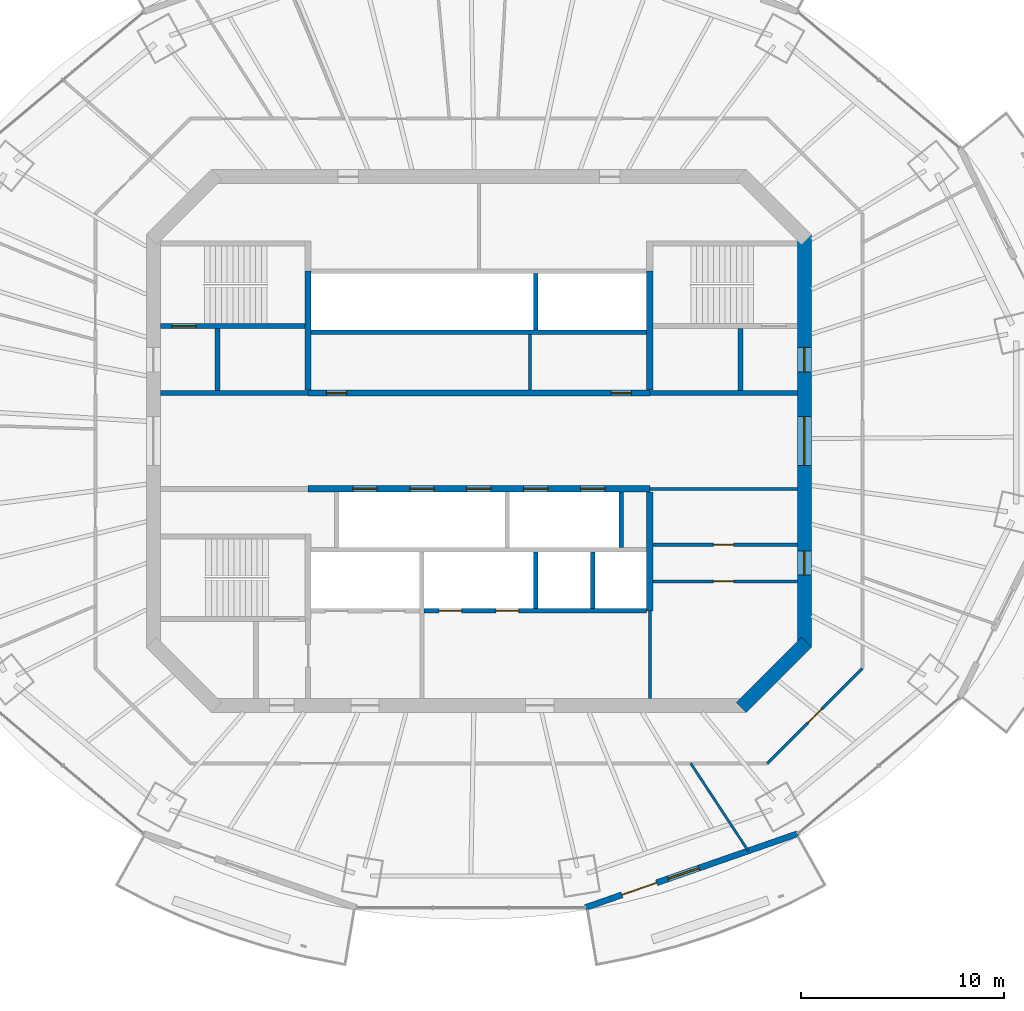
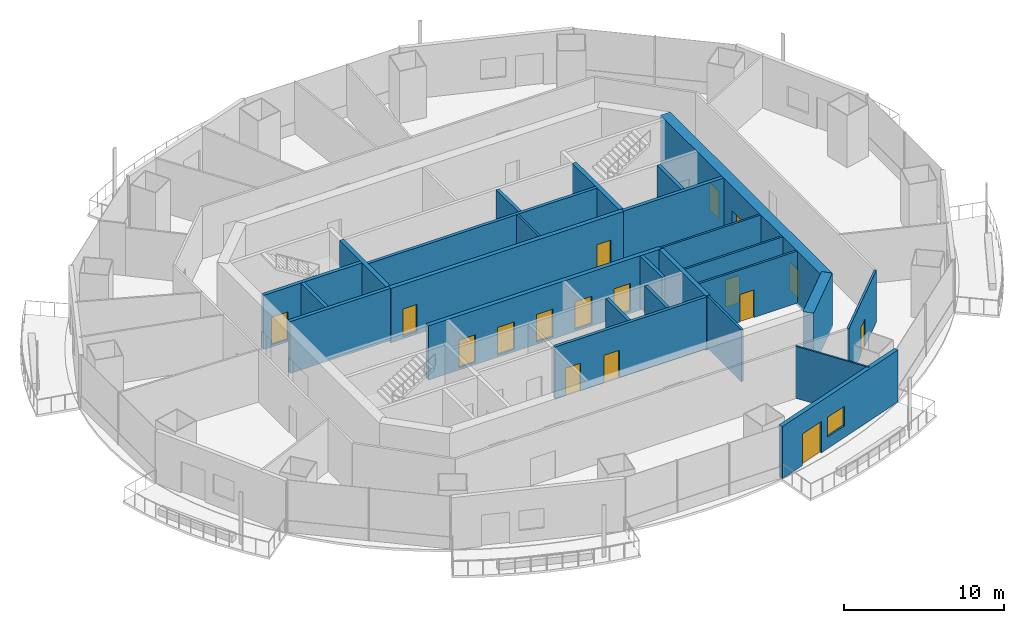
# One storey, part 9 of 16: 26 walls, 17 doors, 1 window, 18 openings.
"""IFC4 building model written with IfcOpenShell, lengths in metres."""

from ifc_helpers import new_model, si_unit, direction, frame, frame_2d, origin, place, context, subcontext, project, spatial, rectangle, extrude, material, layer, layer_set, type_object, element, fill, save


model = new_model("IFC4")

# Units and contexts
model_context = context("Model", 3, precision=1e-05, world=origin(), true_north=direction((0.0, 1.0)))
body_context = subcontext(model_context, "Body", "Model", "MODEL_VIEW")
ifc_project = project(units=[si_unit("LENGTHUNIT", "METRE"), si_unit("AREAUNIT", "SQUARE_METRE"), si_unit("VOLUMEUNIT", "CUBIC_METRE"), si_unit("PLANEANGLEUNIT", "RADIAN"), si_unit("MASSUNIT", "GRAM", prefix="KILO")], contexts=[model_context])

# Site, building, storey
site_placement = place(None, origin())
site = spatial("IfcSite", under=ifc_project, at=site_placement, CompositionType="ELEMENT")
building_placement = place(site_placement, origin())
building = spatial("IfcBuilding", under=site, at=building_placement, Name="Marenthal Gate Tower", CompositionType="ELEMENT")
storey_placement = place(building_placement, frame((0.0, 0.0, 284.5)))
storey = spatial("IfcBuildingStorey", under=building, at=storey_placement, Name="L63", CompositionType="ELEMENT", Elevation=284.5)

# Wall
ifc_material_1 = material(Name="Concrete 60 MPa", Category="concrete")
ifc_layer_1 = layer(ifc_material_1, 0.699951171875)
ifc_layer_set_1 = layer_set([ifc_layer_1], Name="Core shear wall 700")
wall_type_1 = type_object("IfcWallType", Name="Core shear wall 700", PredefinedType="SHEAR", material=ifc_layer_set_1)
wall_1_placement = place(storey_placement, frame((12.8974609375, -13.1025390625, -0.179931640625), z_axis=(0.0, 0.0, 1.0), x_axis=(0.707106781187, 0.707106781187, 0.0)))
element("IfcWall", 1, at=wall_1_placement, inside=storey, type_object=wall_type_1, Name="Core wall 01", PredefinedType="SHEAR", context=body_context, shape_type="SweptSolid", body=[
    extrude(rectangle(XDim=4.53271484375, YDim=0.699951171875, at=frame_2d((2.266357421875, 0.0))), origin(), (0.0, 0.0, 1.0), 4.14990234375),
])

# Wall, openings, doors
wall_2_placement = place(storey_placement, frame((16.0, -10.14501953125, -0.179931640625), z_axis=(0.0, 0.0, 1.0), x_axis=(0.0, 1.0, 0.0)))
wall_2 = element("IfcWall", 2, at=wall_2_placement, inside=storey, type_object=wall_type_1, Name="Core wall 02", PredefinedType="SHEAR", context=body_context, shape_type="SweptSolid", body=[
    extrude(rectangle(XDim=20.2900390625, YDim=0.699951171875, at=frame_2d((10.14501953125, 0.0))), origin(), (0.0, 0.0, 1.0), 4.14990234375),
])
opening_1_placement = place(wall_2_placement, frame((8.945068359375, 0.0, 0.179931640625)))
opening_1 = element("IfcOpeningElement", 3, at=opening_1_placement, cuts=wall_2, Name="Opening D003.02", PredefinedType="OPENING", context=body_context, shape_type="SweptSolid", body=[
    extrude(rectangle(XDim=2.39990234375, YDim=2.10009765625, at=frame_2d((1.199951171875, 1.050048828125))), frame((0.0, 0.35986328125, 0.0), z_axis=(0.0, -1.0, 0.0), x_axis=(1.0, 0.0, 0.0)), (0.0, 0.0, 1.0), 0.719970703125),
])
opening_2_placement = place(wall_2_placement, frame((13.544921875, 0.0, 0.179931640625)))
opening_2 = element("IfcOpeningElement", 4, at=opening_2_placement, cuts=wall_2, Name="Opening D001.05", PredefinedType="OPENING", context=body_context, shape_type="SweptSolid", body=[
    extrude(rectangle(XDim=1.199951171875, YDim=2.10009765625, at=frame_2d((0.60009765625, 1.050048828125))), frame((0.0, 0.35986328125, 0.0), z_axis=(0.0, -1.0, 0.0), x_axis=(1.0, 0.0, 0.0)), (0.0, 0.0, 1.0), 0.719970703125),
])
opening_3_placement = place(wall_2_placement, frame((3.544921875, 0.0, 0.179931640625)))
opening_3 = element("IfcOpeningElement", 5, at=opening_3_placement, cuts=wall_2, Name="Opening D006.01", PredefinedType="OPENING", context=body_context, shape_type="SweptSolid", body=[
    extrude(rectangle(XDim=1.199951171875, YDim=2.10009765625, at=frame_2d((0.60009765625, 1.050048828125))), frame((0.0, 0.35986328125, 0.0), z_axis=(0.0, -1.0, 0.0), x_axis=(1.0, 0.0, 0.0)), (0.0, 0.0, 1.0), 0.719970703125),
])
ifc_material_2 = material(Name="Steel fire door", Category="steel")
door_type_1 = type_object("IfcDoorType", Name="Double fire door FD 45 2400 x 2100", OperationType="DOUBLE_DOOR_SINGLE_SWING", PredefinedType="DOOR", material=ifc_material_2)
door_1_placement = place(opening_1_placement, origin())
door_1 = element("IfcDoor", 6, at=door_1_placement, inside=storey, type_object=door_type_1, Name="Door D003.02", OperationType="DOUBLE_DOOR_SINGLE_SWING", OverallHeight=2.10009765625, OverallWidth=2.39990234375, PredefinedType="DOOR", context=body_context, shape_type="SweptSolid", body=[
    extrude(rectangle(XDim=2.39990234375, YDim=2.10009765625, at=frame_2d((1.199951171875, 1.050048828125))), frame((0.0, 0.02490234375, 0.0), z_axis=(0.0, -1.0, 0.0), x_axis=(1.0, 0.0, 0.0)), (0.0, 0.0, 1.0), 0.050048828125),
])
fill(opening_1, door_1)
ifc_material_3 = material(Name="Steel fire door", Category="steel")
door_type_2 = type_object("IfcDoorType", Name="Fire door FD 45 1200 x 2100", OperationType="NOTDEFINED", PredefinedType="DOOR", material=ifc_material_3)
door_2_placement = place(opening_3_placement, origin())
door_2 = element("IfcDoor", 7, at=door_2_placement, inside=storey, type_object=door_type_2, Name="Door D006.01", OperationType="SINGLE_SWING_RIGHT", OverallHeight=2.10009765625, OverallWidth=1.199951171875, PredefinedType="DOOR", context=body_context, shape_type="SweptSolid", body=[
    extrude(rectangle(XDim=1.199951171875, YDim=2.10009765625, at=frame_2d((0.60009765625, 1.050048828125))), frame((0.0, 0.02490234375, 0.0), z_axis=(0.0, -1.0, 0.0), x_axis=(1.0, 0.0, 0.0)), (0.0, 0.0, 1.0), 0.050048828125),
])
fill(opening_3, door_2)
ifc_material_4 = material(Name="Steel fire door", Category="steel")
door_type_3 = type_object("IfcDoorType", Name="Fire door FD 90 1200 x 2100", OperationType="NOTDEFINED", PredefinedType="DOOR", material=ifc_material_4)
door_3_placement = place(opening_2_placement, origin())
door_3 = element("IfcDoor", 8, at=door_3_placement, inside=storey, type_object=door_type_3, Name="Door D001.05", OperationType="SINGLE_SWING_RIGHT", OverallHeight=2.10009765625, OverallWidth=1.199951171875, PredefinedType="DOOR", context=body_context, shape_type="SweptSolid", body=[
    extrude(rectangle(XDim=1.199951171875, YDim=2.10009765625, at=frame_2d((0.60009765625, 1.050048828125))), frame((0.0, 0.02490234375, 0.0), z_axis=(0.0, -1.0, 0.0), x_axis=(1.0, 0.0, 0.0)), (0.0, 0.0, 1.0), 0.050048828125),
])
fill(opening_2, door_3)

ifc_material_5 = material(Name="Concrete 50 MPa", Category="concrete")
ifc_layer_2 = layer(ifc_material_5, 0.300048828125)
ifc_layer_set_2 = layer_set([ifc_layer_2], Name="Hoistway shear wall 300")
wall_type_2 = type_object("IfcWallType", Name="Hoistway shear wall 300", PredefinedType="SHEAR", material=ifc_layer_set_2)
wall_3_placement = place(storey_placement, frame((-8.39990234375, -2.35009765625, -0.179931640625), z_axis=(0.0, 0.0, 1.0), x_axis=(1.0, 0.0, 0.0)))
wall_3 = element("IfcWall", 9, at=wall_3_placement, inside=storey, type_object=wall_type_2, Name="Hoistway wall 17", PredefinedType="SHEAR", context=body_context, shape_type="SweptSolid", body=[
    extrude(rectangle(XDim=16.7998046875, YDim=0.300048828125, at=frame_2d((8.39990234375, 0.0))), origin(), (0.0, 0.0, 1.0), 4.14990234375),
])
opening_4_placement = place(wall_3_placement, frame((2.199951171875, 0.0, 0.179931640625)))
opening_4 = element("IfcOpeningElement", 10, at=opening_4_placement, cuts=wall_3, Name="Opening LD-HP1", PredefinedType="OPENING", context=body_context, shape_type="SweptSolid", body=[
    extrude(rectangle(XDim=1.199951171875, YDim=2.10009765625, at=frame_2d((0.60009765625, 1.050048828125))), frame((0.0, 0.16015625, 0.0), z_axis=(0.0, -1.0, 0.0), x_axis=(1.0, 0.0, 0.0)), (0.0, 0.0, 1.0), 0.320068359375),
])
opening_5_placement = place(wall_3_placement, frame((5.0, 0.0, 0.179931640625)))
opening_5 = element("IfcOpeningElement", 11, at=opening_5_placement, cuts=wall_3, Name="Opening LD-HP2", PredefinedType="OPENING", context=body_context, shape_type="SweptSolid", body=[
    extrude(rectangle(XDim=1.199951171875, YDim=2.10009765625, at=frame_2d((0.60009765625, 1.050048828125))), frame((0.0, 0.16015625, 0.0), z_axis=(0.0, -1.0, 0.0), x_axis=(1.0, 0.0, 0.0)), (0.0, 0.0, 1.0), 0.320068359375),
])
opening_6_placement = place(wall_3_placement, frame((7.800048828125, 0.0, 0.179931640625)))
opening_6 = element("IfcOpeningElement", 12, at=opening_6_placement, cuts=wall_3, Name="Opening LD-HP3", PredefinedType="OPENING", context=body_context, shape_type="SweptSolid", body=[
    extrude(rectangle(XDim=1.199951171875, YDim=2.10009765625, at=frame_2d((0.60009765625, 1.050048828125))), frame((0.0, 0.16015625, 0.0), z_axis=(0.0, -1.0, 0.0), x_axis=(1.0, 0.0, 0.0)), (0.0, 0.0, 1.0), 0.320068359375),
])
opening_7_placement = place(wall_3_placement, frame((10.60009765625, 0.0, 0.179931640625)))
opening_7 = element("IfcOpeningElement", 13, at=opening_7_placement, cuts=wall_3, Name="Opening LD-HP4", PredefinedType="OPENING", context=body_context, shape_type="SweptSolid", body=[
    extrude(rectangle(XDim=1.199951171875, YDim=2.10009765625, at=frame_2d((0.60009765625, 1.050048828125))), frame((0.0, 0.16015625, 0.0), z_axis=(0.0, -1.0, 0.0), x_axis=(1.0, 0.0, 0.0)), (0.0, 0.0, 1.0), 0.320068359375),
])
opening_8_placement = place(wall_3_placement, frame((13.39990234375, 0.0, 0.179931640625)))
opening_8 = element("IfcOpeningElement", 14, at=opening_8_placement, cuts=wall_3, Name="Opening LD-HP5", PredefinedType="OPENING", context=body_context, shape_type="SweptSolid", body=[
    extrude(rectangle(XDim=1.199951171875, YDim=2.10009765625, at=frame_2d((0.60009765625, 1.050048828125))), frame((0.0, 0.16015625, 0.0), z_axis=(0.0, -1.0, 0.0), x_axis=(1.0, 0.0, 0.0)), (0.0, 0.0, 1.0), 0.320068359375),
])
ifc_material_6 = material(Name="Stainless steel sliding door", Category="steel")
door_type_4 = type_object("IfcDoorType", Name="Lift landing door FD 90 1200 x 2100", OperationType="DOUBLE_DOOR_SLIDING", PredefinedType="DOOR", material=ifc_material_6)
door_4_placement = place(opening_4_placement, origin())
door_4 = element("IfcDoor", 15, at=door_4_placement, inside=storey, type_object=door_type_4, Name="Lift landing door HP1", OperationType="DOUBLE_DOOR_SLIDING", OverallHeight=2.10009765625, OverallWidth=1.199951171875, PredefinedType="DOOR", context=body_context, shape_type="SweptSolid", body=[
    extrude(rectangle(XDim=1.199951171875, YDim=2.10009765625, at=frame_2d((0.60009765625, 1.050048828125))), frame((0.0, 0.02490234375, 0.0), z_axis=(0.0, -1.0, 0.0), x_axis=(1.0, 0.0, 0.0)), (0.0, 0.0, 1.0), 0.050048828125),
])
fill(opening_4, door_4)
door_5_placement = place(opening_5_placement, origin())
door_5 = element("IfcDoor", 16, at=door_5_placement, inside=storey, type_object=door_type_4, Name="Lift landing door HP2", OperationType="DOUBLE_DOOR_SLIDING", OverallHeight=2.10009765625, OverallWidth=1.199951171875, PredefinedType="DOOR", context=body_context, shape_type="SweptSolid", body=[
    extrude(rectangle(XDim=1.199951171875, YDim=2.10009765625, at=frame_2d((0.60009765625, 1.050048828125))), frame((0.0, 0.02490234375, 0.0), z_axis=(0.0, -1.0, 0.0), x_axis=(1.0, 0.0, 0.0)), (0.0, 0.0, 1.0), 0.050048828125),
])
fill(opening_5, door_5)
door_6_placement = place(opening_6_placement, origin())
door_6 = element("IfcDoor", 17, at=door_6_placement, inside=storey, type_object=door_type_4, Name="Lift landing door HP3", OperationType="DOUBLE_DOOR_SLIDING", OverallHeight=2.10009765625, OverallWidth=1.199951171875, PredefinedType="DOOR", context=body_context, shape_type="SweptSolid", body=[
    extrude(rectangle(XDim=1.199951171875, YDim=2.10009765625, at=frame_2d((0.60009765625, 1.050048828125))), frame((0.0, 0.02490234375, 0.0), z_axis=(0.0, -1.0, 0.0), x_axis=(1.0, 0.0, 0.0)), (0.0, 0.0, 1.0), 0.050048828125),
])
fill(opening_6, door_6)
door_7_placement = place(opening_7_placement, origin())
door_7 = element("IfcDoor", 18, at=door_7_placement, inside=storey, type_object=door_type_4, Name="Lift landing door HP4", OperationType="DOUBLE_DOOR_SLIDING", OverallHeight=2.10009765625, OverallWidth=1.199951171875, PredefinedType="DOOR", context=body_context, shape_type="SweptSolid", body=[
    extrude(rectangle(XDim=1.199951171875, YDim=2.10009765625, at=frame_2d((0.60009765625, 1.050048828125))), frame((0.0, 0.02490234375, 0.0), z_axis=(0.0, -1.0, 0.0), x_axis=(1.0, 0.0, 0.0)), (0.0, 0.0, 1.0), 0.050048828125),
])
fill(opening_7, door_7)
door_8_placement = place(opening_8_placement, origin())
door_8 = element("IfcDoor", 19, at=door_8_placement, inside=storey, type_object=door_type_4, Name="Lift landing door HP5", OperationType="DOUBLE_DOOR_SLIDING", OverallHeight=2.10009765625, OverallWidth=1.199951171875, PredefinedType="DOOR", context=body_context, shape_type="SweptSolid", body=[
    extrude(rectangle(XDim=1.199951171875, YDim=2.10009765625, at=frame_2d((0.60009765625, 1.050048828125))), frame((0.0, 0.02490234375, 0.0), z_axis=(0.0, -1.0, 0.0), x_axis=(1.0, 0.0, 0.0)), (0.0, 0.0, 1.0), 0.050048828125),
])
fill(opening_8, door_8)

wall_4_placement = place(storey_placement, frame((-8.39990234375, 2.35009765625, -0.179931640625), z_axis=(0.0, 0.0, 1.0), x_axis=(1.0, 0.0, 0.0)))
wall_4 = element("IfcWall", 20, at=wall_4_placement, inside=storey, type_object=wall_type_2, Name="Hoistway wall 20", PredefinedType="SHEAR", context=body_context, shape_type="SweptSolid", body=[
    extrude(rectangle(XDim=16.7998046875, YDim=0.300048828125, at=frame_2d((8.39990234375, 0.0))), origin(), (0.0, 0.0, 1.0), 4.14990234375),
])
opening_9_placement = place(wall_4_placement, frame((0.89990234375, 0.0, 0.179931640625)))
opening_9 = element("IfcOpeningElement", 21, at=opening_9_placement, cuts=wall_4, Name="Opening D005.01", PredefinedType="OPENING", context=body_context, shape_type="SweptSolid", body=[
    extrude(rectangle(XDim=1.0, YDim=2.10009765625, at=frame_2d((0.5, 1.050048828125))), frame((0.0, 0.16015625, 0.0), z_axis=(0.0, -1.0, 0.0), x_axis=(1.0, 0.0, 0.0)), (0.0, 0.0, 1.0), 0.320068359375),
])
opening_10_placement = place(wall_4_placement, frame((14.89990234375, 0.0, 0.179931640625)))
opening_10 = element("IfcOpeningElement", 22, at=opening_10_placement, cuts=wall_4, Name="Opening D005.02", PredefinedType="OPENING", context=body_context, shape_type="SweptSolid", body=[
    extrude(rectangle(XDim=1.0, YDim=2.10009765625, at=frame_2d((0.5, 1.050048828125))), frame((0.0, 0.16015625, 0.0), z_axis=(0.0, -1.0, 0.0), x_axis=(1.0, 0.0, 0.0)), (0.0, 0.0, 1.0), 0.320068359375),
])
ifc_material_7 = material(Name="Steel fire door", Category="steel")
door_type_5 = type_object("IfcDoorType", Name="Fire door FD 45 1000 x 2100", OperationType="NOTDEFINED", PredefinedType="DOOR", material=ifc_material_7)
door_9_placement = place(opening_9_placement, origin())
door_9 = element("IfcDoor", 23, at=door_9_placement, inside=storey, type_object=door_type_5, Name="Door D005.01", OperationType="SINGLE_SWING_RIGHT", OverallHeight=2.10009765625, OverallWidth=1.0, PredefinedType="DOOR", context=body_context, shape_type="SweptSolid", body=[
    extrude(rectangle(XDim=1.0, YDim=2.10009765625, at=frame_2d((0.5, 1.050048828125))), frame((0.0, 0.02490234375, 0.0), z_axis=(0.0, -1.0, 0.0), x_axis=(1.0, 0.0, 0.0)), (0.0, 0.0, 1.0), 0.050048828125),
])
fill(opening_9, door_9)
door_10_placement = place(opening_10_placement, origin())
door_10 = element("IfcDoor", 24, at=door_10_placement, inside=storey, type_object=door_type_5, Name="Door D005.02", OperationType="SINGLE_SWING_RIGHT", OverallHeight=2.10009765625, OverallWidth=1.0, PredefinedType="DOOR", context=body_context, shape_type="SweptSolid", body=[
    extrude(rectangle(XDim=1.0, YDim=2.10009765625, at=frame_2d((0.5, 1.050048828125))), frame((0.0, 0.02490234375, 0.0), z_axis=(0.0, -1.0, 0.0), x_axis=(1.0, 0.0, 0.0)), (0.0, 0.0, 1.0), 0.050048828125),
])
fill(opening_10, door_10)

# Walls
for number, where, z_axis, x_axis, name in (
    (25, (-8.39990234375, 2.5, -0.179931640625), (0.0, 0.0, 1.0), (0.0, 1.0, 0.0), "Hoistway wall 32"),
    (26, (8.39990234375, -8.35009765625, -0.179931640625), (0.0, 0.0, 1.0), (0.0, 1.0, 0.0), "Hoistway wall 45"),
    (27, (8.39990234375, 2.5, -0.179931640625), (0.0, 0.0, 1.0), (0.0, 1.0, 0.0), "Hoistway wall 46"),
):
    element("IfcWall", number, at=place(storey_placement, frame(where, z_axis=z_axis, x_axis=x_axis)), inside=storey, type_object=wall_type_2, Name=name, PredefinedType="SHEAR", context=body_context, shape_type="SweptSolid", body=[
        extrude(rectangle(XDim=5.85009765625, YDim=0.300048828125, at=frame_2d((2.925048828125, 0.0))), origin(), (0.0, 0.0, 1.0), 4.14990234375),
    ])

# Wall, openings, doors
ifc_material_8 = material(Name="Concrete 40 MPa", Category="concrete")
ifc_layer_3 = layer(ifc_material_8, 0.219970703125)
ifc_layer_set_3 = layer_set([ifc_layer_3], Name="Hoistway wall 220")
wall_type_3 = type_object("IfcWallType", Name="Hoistway wall 220", PredefinedType="STANDARD", material=ifc_layer_set_3)
wall_5_placement = place(storey_placement, frame((-2.68994140625, -8.35009765625, 0.0), z_axis=(0.0, 0.0, 1.0), x_axis=(1.0, 0.0, 0.0)))
wall_5 = element("IfcWall", 28, at=wall_5_placement, inside=storey, type_object=wall_type_3, Name="Hoistway wall 11", PredefinedType="STANDARD", context=body_context, shape_type="SweptSolid", body=[
    extrude(rectangle(XDim=10.93994140625, YDim=0.219970703125, at=frame_2d((5.469970703125, 0.0))), origin(), (0.0, 0.0, 1.0), 3.969970703125),
])
opening_11_placement = place(wall_5_placement, frame((0.739990234375, 0.0, 0.0)))
opening_11 = element("IfcOpeningElement", 29, at=opening_11_placement, cuts=wall_5, Name="Opening LD-SV1", PredefinedType="OPENING", context=body_context, shape_type="SweptSolid", body=[
    extrude(rectangle(XDim=1.10009765625, YDim=2.10009765625, at=frame_2d((0.550048828125, 1.050048828125))), frame((0.0, 0.1201171875, 0.0), z_axis=(0.0, -1.0, 0.0), x_axis=(1.0, 0.0, 0.0)), (0.0, 0.0, 1.0), 0.239990234375),
])
opening_12_placement = place(wall_5_placement, frame((3.5400390625, 0.0, 0.0)))
opening_12 = element("IfcOpeningElement", 30, at=opening_12_placement, cuts=wall_5, Name="Opening LD-SV2", PredefinedType="OPENING", context=body_context, shape_type="SweptSolid", body=[
    extrude(rectangle(XDim=1.10009765625, YDim=2.10009765625, at=frame_2d((0.550048828125, 1.050048828125))), frame((0.0, 0.1201171875, 0.0), z_axis=(0.0, -1.0, 0.0), x_axis=(1.0, 0.0, 0.0)), (0.0, 0.0, 1.0), 0.239990234375),
])
ifc_material_9 = material(Name="Stainless steel sliding door", Category="steel")
door_type_6 = type_object("IfcDoorType", Name="Lift landing door FD 90 1100 x 2100", OperationType="DOUBLE_DOOR_SLIDING", PredefinedType="DOOR", material=ifc_material_9)
door_11_placement = place(opening_11_placement, origin())
door_11 = element("IfcDoor", 31, at=door_11_placement, inside=storey, type_object=door_type_6, Name="Lift landing door SV1", OperationType="DOUBLE_DOOR_SLIDING", OverallHeight=2.10009765625, OverallWidth=1.10009765625, PredefinedType="DOOR", context=body_context, shape_type="SweptSolid", body=[
    extrude(rectangle(XDim=1.10009765625, YDim=2.10009765625, at=frame_2d((0.550048828125, 1.050048828125))), frame((0.0, 0.02490234375, 0.0), z_axis=(0.0, -1.0, 0.0), x_axis=(1.0, 0.0, 0.0)), (0.0, 0.0, 1.0), 0.050048828125),
])
fill(opening_11, door_11)
door_12_placement = place(opening_12_placement, origin())
door_12 = element("IfcDoor", 32, at=door_12_placement, inside=storey, type_object=door_type_6, Name="Lift landing door SV2", OperationType="DOUBLE_DOOR_SLIDING", OverallHeight=2.10009765625, OverallWidth=1.10009765625, PredefinedType="DOOR", context=body_context, shape_type="SweptSolid", body=[
    extrude(rectangle(XDim=1.10009765625, YDim=2.10009765625, at=frame_2d((0.550048828125, 1.050048828125))), frame((0.0, 0.02490234375, 0.0), z_axis=(0.0, -1.0, 0.0), x_axis=(1.0, 0.0, 0.0)), (0.0, 0.0, 1.0), 0.050048828125),
])
fill(opening_12, door_12)

# Walls
wall_6_placement = place(storey_placement, frame((-8.25, 5.35009765625, 0.0), z_axis=(0.0, 0.0, 1.0), x_axis=(1.0, 0.0, 0.0)))
element("IfcWall", 33, at=wall_6_placement, inside=storey, type_object=wall_type_3, Name="Hoistway wall 22", PredefinedType="STANDARD", context=body_context, shape_type="SweptSolid", body=[
    extrude(rectangle(XDim=16.5, YDim=0.219970703125, at=frame_2d((8.25, 0.0))), origin(), (0.0, 0.0, 1.0), 3.969970703125),
])
for number, where, z_axis, x_axis, name in (
    (34, (2.800048828125, -8.239990234375, 0.0), (0.0, 0.0, 1.0), (0.0, 1.0, 0.0), "Hoistway wall 40"),
    (35, (2.800048828125, 5.4599609375, 0.0), (0.0, 0.0, 1.0), (0.0, 1.0, 0.0), "Hoistway wall 41"),
    (36, (5.60009765625, -8.239990234375, 0.0), (0.0, 0.0, 1.0), (0.0, 1.0, 0.0), "Hoistway wall 42"),
):
    element("IfcWall", number, at=place(storey_placement, frame(where, z_axis=z_axis, x_axis=x_axis)), inside=storey, type_object=wall_type_3, Name=name, PredefinedType="STANDARD", context=body_context, shape_type="SweptSolid", body=[
        extrude(rectangle(XDim=2.780029296875, YDim=0.219970703125, at=frame_2d((1.39013671875, 0.0))), origin(), (0.0, 0.0, 1.0), 3.969970703125),
    ])
wall_7_placement = place(storey_placement, frame((7.0, -5.239990234375, 0.0), z_axis=(0.0, 0.0, 1.0), x_axis=(0.0, 1.0, 0.0)))
element("IfcWall", 37, at=wall_7_placement, inside=storey, type_object=wall_type_3, Name="Hoistway wall 43", PredefinedType="STANDARD", context=body_context, shape_type="SweptSolid", body=[
    extrude(rectangle(XDim=2.739990234375, YDim=0.219970703125, at=frame_2d((1.3701171875, 0.0))), origin(), (0.0, 0.0, 1.0), 3.969970703125),
])
ifc_material_10 = material(Name="Gypsum board on steel studs", Category="steel")
ifc_layer_4 = layer(ifc_material_10, 0.1201171875)
ifc_layer_set_4 = layer_set([ifc_layer_4], Name="Partition 120")
wall_type_4 = type_object("IfcWallType", Name="Partition 120", PredefinedType="PARTITIONING", material=ifc_layer_set_4)
wall_8_placement = place(storey_placement, frame((10.41357421875, -15.85009765625, 0.0), z_axis=(0.0, 0.0, 1.0), x_axis=(0.549083233683, -0.835767672555, 0.0)))
element("IfcWall", 38, at=wall_8_placement, inside=storey, type_object=wall_type_4, Name="Partition wall 62", PredefinedType="PARTITIONING", context=body_context, shape_type="SweptSolid", body=[
    extrude(rectangle(XDim=5.14697265625, YDim=0.1201171875, at=frame_2d((2.573486328125, 0.0))), origin(), (0.0, 0.0, 1.0), 3.969970703125),
])

# Wall, opening, door
ifc_material_11 = material(Name="Gypsum board on steel studs", Category="steel")
ifc_layer_5 = layer(ifc_material_11, 0.14990234375)
ifc_layer_set_5 = layer_set([ifc_layer_5], Name="Partition 150")
wall_type_5 = type_object("IfcWallType", Name="Partition 150", PredefinedType="PARTITIONING", material=ifc_layer_set_5)
wall_9_placement = place(storey_placement, frame((8.550048828125, -6.89990234375, 0.0), z_axis=(0.0, 0.0, 1.0), x_axis=(1.0, 0.0, 0.0)))
wall_9 = element("IfcWall", 39, at=wall_9_placement, inside=storey, type_object=wall_type_5, Name="Partition wall 12", PredefinedType="PARTITIONING", context=body_context, shape_type="SweptSolid", body=[
    extrude(rectangle(XDim=7.099853515625, YDim=0.14990234375, at=frame_2d((3.5498046875, 0.0))), origin(), (0.0, 0.0, 1.0), 3.969970703125),
])
opening_13_placement = place(wall_9_placement, frame((2.97509765625, 0.0, 0.0)))
opening_13 = element("IfcOpeningElement", 40, at=opening_13_placement, cuts=wall_9, Name="Opening D005.06", PredefinedType="OPENING", context=body_context, shape_type="SweptSolid", body=[
    extrude(rectangle(XDim=1.0, YDim=2.10009765625, at=frame_2d((0.5, 1.050048828125))), frame((0.0, 0.0849609375, 0.0), z_axis=(0.0, -1.0, 0.0), x_axis=(1.0, 0.0, 0.0)), (0.0, 0.0, 1.0), 0.169921875),
])
door_13_placement = place(opening_13_placement, frame((1.0, 0.0, 0.0), z_axis=(0.0, 0.0, 1.0), x_axis=(-1.0, 0.0, 0.0)))
door_13 = element("IfcDoor", 41, at=door_13_placement, inside=storey, type_object=door_type_5, Name="Door D005.06", OperationType="SINGLE_SWING_LEFT", OverallHeight=2.10009765625, OverallWidth=1.0, PredefinedType="DOOR", context=body_context, shape_type="SweptSolid", body=[
    extrude(rectangle(XDim=1.0, YDim=2.10009765625, at=frame_2d((0.5, 1.050048828125))), frame((0.0, 0.02490234375, 0.0), z_axis=(0.0, -1.0, 0.0), x_axis=(1.0, 0.0, 0.0)), (0.0, 0.0, 1.0), 0.050048828125),
])
fill(opening_13, door_13)

wall_10_placement = place(storey_placement, frame((8.550048828125, -5.10009765625, 0.0), z_axis=(0.0, 0.0, 1.0), x_axis=(1.0, 0.0, 0.0)))
wall_10 = element("IfcWall", 42, at=wall_10_placement, inside=storey, type_object=wall_type_5, Name="Partition wall 14", PredefinedType="PARTITIONING", context=body_context, shape_type="SweptSolid", body=[
    extrude(rectangle(XDim=7.099853515625, YDim=0.14990234375, at=frame_2d((3.5498046875, 0.0))), origin(), (0.0, 0.0, 1.0), 3.969970703125),
])
opening_14_placement = place(wall_10_placement, frame((2.97509765625, 0.0, 0.0)))
opening_14 = element("IfcOpeningElement", 43, at=opening_14_placement, cuts=wall_10, Name="Opening D005.05", PredefinedType="OPENING", context=body_context, shape_type="SweptSolid", body=[
    extrude(rectangle(XDim=1.0, YDim=2.10009765625, at=frame_2d((0.5, 1.050048828125))), frame((0.0, 0.0849609375, 0.0), z_axis=(0.0, -1.0, 0.0), x_axis=(1.0, 0.0, 0.0)), (0.0, 0.0, 1.0), 0.169921875),
])
door_14_placement = place(opening_14_placement, origin())
door_14 = element("IfcDoor", 44, at=door_14_placement, inside=storey, type_object=door_type_5, Name="Door D005.05", OperationType="SINGLE_SWING_RIGHT", OverallHeight=2.10009765625, OverallWidth=1.0, PredefinedType="DOOR", context=body_context, shape_type="SweptSolid", body=[
    extrude(rectangle(XDim=1.0, YDim=2.10009765625, at=frame_2d((0.5, 1.050048828125))), frame((0.0, 0.02490234375, 0.0), z_axis=(0.0, -1.0, 0.0), x_axis=(1.0, 0.0, 0.0)), (0.0, 0.0, 1.0), 0.050048828125),
])
fill(opening_14, door_14)

# Walls
wall_11_placement = place(storey_placement, frame((8.39990234375, -2.35009765625, 0.0), z_axis=(0.0, 0.0, 1.0), x_axis=(1.0, 0.0, 0.0)))
element("IfcWall", 45, at=wall_11_placement, inside=storey, type_object=wall_type_5, Name="Partition wall 18", PredefinedType="PARTITIONING", context=body_context, shape_type="SweptSolid", body=[
    extrude(rectangle(XDim=7.25, YDim=0.14990234375, at=frame_2d((3.625, 0.0))), origin(), (0.0, 0.0, 1.0), 3.969970703125),
])
wall_12_placement = place(storey_placement, frame((2.52001953125, 2.5, 0.0), z_axis=(0.0, 0.0, 1.0), x_axis=(0.0, 1.0, 0.0)))
element("IfcWall", 46, at=wall_12_placement, inside=storey, type_object=wall_type_5, Name="Partition wall 39", PredefinedType="PARTITIONING", context=body_context, shape_type="SweptSolid", body=[
    extrude(rectangle(XDim=2.739990234375, YDim=0.14990234375, at=frame_2d((1.3701171875, 0.0))), origin(), (0.0, 0.0, 1.0), 3.969970703125),
])
wall_13_placement = place(storey_placement, frame((8.39990234375, -12.64990234375, 0.0), z_axis=(0.0, 0.0, 1.0), x_axis=(0.0, 1.0, 0.0)))
element("IfcWall", 47, at=wall_13_placement, inside=storey, type_object=wall_type_5, Name="Partition wall 44", PredefinedType="PARTITIONING", context=body_context, shape_type="SweptSolid", body=[
    extrude(rectangle(XDim=4.2998046875, YDim=0.14990234375, at=frame_2d((2.14990234375, 0.0))), origin(), (0.0, 0.0, 1.0), 3.969970703125),
])

# Wall, opening, door
wall_14_placement = place(storey_placement, frame((18.85009765625, -11.180419921875, 0.0), z_axis=(0.0, 0.0, 1.0), x_axis=(-0.707106781187, -0.707106781187, 0.0)))
wall_14 = element("IfcWall", 48, at=wall_14_placement, inside=storey, type_object=wall_type_5, Name="Partition wall 65", PredefinedType="PARTITIONING", context=body_context, shape_type="SweptSolid", body=[
    extrude(rectangle(XDim=6.60400390625, YDim=0.14990234375, at=frame_2d((3.302001953125, 0.0))), origin(), (0.0, 0.0, 1.0), 3.969970703125),
])
opening_15_placement = place(wall_14_placement, frame((2.826904296875, 0.0, 0.0)))
opening_15 = element("IfcOpeningElement", 49, at=opening_15_placement, cuts=wall_14, Name="Opening D016.09", PredefinedType="OPENING", context=body_context, shape_type="SweptSolid", body=[
    extrude(rectangle(XDim=0.949951171875, YDim=2.10009765625, at=frame_2d((0.47509765625, 1.050048828125))), frame((0.0, 0.0849609375, 0.0), z_axis=(0.0, -1.0, 0.0), x_axis=(1.0, 0.0, 0.0)), (0.0, 0.0, 1.0), 0.169921875),
])
ifc_material_12 = material(Name="Timber door", Category="wood")
door_type_7 = type_object("IfcDoorType", Name="Door 950 x 2100", OperationType="NOTDEFINED", PredefinedType="DOOR", material=ifc_material_12)
door_15_placement = place(opening_15_placement, origin())
door_15 = element("IfcDoor", 50, at=door_15_placement, inside=storey, type_object=door_type_7, Name="Door D016.09", OperationType="SINGLE_SWING_RIGHT", OverallHeight=2.10009765625, OverallWidth=0.949951171875, PredefinedType="DOOR", context=body_context, shape_type="SweptSolid", body=[
    extrude(rectangle(XDim=0.949951171875, YDim=2.10009765625, at=frame_2d((0.47509765625, 1.050048828125))), frame((0.0, 0.02490234375, 0.0), z_axis=(0.0, -1.0, 0.0), x_axis=(1.0, 0.0, 0.0)), (0.0, 0.0, 1.0), 0.050048828125),
])
fill(opening_15, door_15)

# Walls
ifc_material_13 = material(Name="Concrete 40 MPa", Category="concrete")
ifc_layer_6 = layer(ifc_material_13, 0.25)
ifc_layer_set_6 = layer_set([ifc_layer_6], Name="Stair enclosure wall 250")
wall_type_6 = type_object("IfcWallType", Name="Stair enclosure wall 250", PredefinedType="STANDARD", material=ifc_layer_set_6)
for number, where, z_axis, x_axis, name in (
    (51, (-15.64990234375, 2.35009765625, 0.0), (0.0, 0.0, 1.0), (1.0, 0.0, 0.0), "Stair wall 19"),
    (52, (8.39990234375, 2.35009765625, 0.0), (0.0, 0.0, 1.0), (1.0, 0.0, 0.0), "Stair wall 21"),
):
    element("IfcWall", number, at=place(storey_placement, frame(where, z_axis=z_axis, x_axis=x_axis)), inside=storey, type_object=wall_type_6, Name=name, PredefinedType="STANDARD", context=body_context, shape_type="SweptSolid", body=[
        extrude(rectangle(XDim=7.25, YDim=0.25, at=frame_2d((3.625, 0.0))), origin(), (0.0, 0.0, 1.0), 3.969970703125),
    ])
for number, where, z_axis, x_axis, name in (
    (53, (-12.85009765625, 2.47509765625, 0.0), (0.0, 0.0, 1.0), (0.0, 1.0, 0.0), "Stair wall 28"),
    (54, (12.85009765625, 2.47509765625, 0.0), (0.0, 0.0, 1.0), (0.0, 1.0, 0.0), "Stair wall 48"),
):
    element("IfcWall", number, at=place(storey_placement, frame(where, z_axis=z_axis, x_axis=x_axis)), inside=storey, type_object=wall_type_6, Name=name, PredefinedType="STANDARD", context=body_context, shape_type="SweptSolid", body=[
        extrude(rectangle(XDim=3.0498046875, YDim=0.25, at=frame_2d((1.52490234375, 0.0))), origin(), (0.0, 0.0, 1.0), 3.969970703125),
    ])

# Wall, opening, door
ifc_material_14 = material(Name="Concrete 50 MPa", Category="concrete")
ifc_layer_7 = layer(ifc_material_14, 0.25)
ifc_layer_set_7 = layer_set([ifc_layer_7], Name="Stair shear wall 250")
wall_type_7 = type_object("IfcWallType", Name="Stair shear wall 250", PredefinedType="SHEAR", material=ifc_layer_set_7)
wall_15_placement = place(storey_placement, frame((-15.64990234375, 5.64990234375, -0.179931640625), z_axis=(0.0, 0.0, 1.0), x_axis=(1.0, 0.0, 0.0)))
wall_15 = element("IfcWall", 55, at=wall_15_placement, inside=storey, type_object=wall_type_7, Name="Stair wall 23", PredefinedType="SHEAR", context=body_context, shape_type="SweptSolid", body=[
    extrude(rectangle(XDim=7.099853515625, YDim=0.25, at=frame_2d((3.5498046875, 0.0))), origin(), (0.0, 0.0, 1.0), 4.14990234375),
])
opening_16_placement = place(wall_15_placement, frame((0.550048828125, 0.0, 0.179931640625)))
opening_16 = element("IfcOpeningElement", 56, at=opening_16_placement, cuts=wall_15, Name="Opening D001.01", PredefinedType="OPENING", context=body_context, shape_type="SweptSolid", body=[
    extrude(rectangle(XDim=1.199951171875, YDim=2.10009765625, at=frame_2d((0.60009765625, 1.050048828125))), frame((0.0, 0.135009765625, 0.0), z_axis=(0.0, -1.0, 0.0), x_axis=(1.0, 0.0, 0.0)), (0.0, 0.0, 1.0), 0.27001953125),
])
door_16_placement = place(opening_16_placement, origin())
door_16 = element("IfcDoor", 57, at=door_16_placement, inside=storey, type_object=door_type_3, Name="Door D001.01", OperationType="SINGLE_SWING_RIGHT", OverallHeight=2.10009765625, OverallWidth=1.199951171875, PredefinedType="DOOR", context=body_context, shape_type="SweptSolid", body=[
    extrude(rectangle(XDim=1.199951171875, YDim=2.10009765625, at=frame_2d((0.60009765625, 1.050048828125))), frame((0.0, 0.02490234375, 0.0), z_axis=(0.0, -1.0, 0.0), x_axis=(1.0, 0.0, 0.0)), (0.0, 0.0, 1.0), 0.050048828125),
])
fill(opening_16, door_16)

# Wall, openings, door, window
ifc_material_15 = material(Name="Terracotta cladding on insulated concrete-block backing", Category="masonry")
ifc_layer_8 = layer(ifc_material_15, 0.300048828125)
ifc_layer_set_8 = layer_set([ifc_layer_8], Name="Terracotta facade wall 300")
wall_type_8 = type_object("IfcWallType", Name="Terracotta facade wall 300", PredefinedType="SOLIDWALL", material=ifc_layer_set_8)
wall_16_placement = place(storey_placement, frame((5.24169921875, -22.93603515625, 0.0), z_axis=(0.0, 0.0, 1.0), x_axis=(0.94441082719, 0.328767683155, 0.0)))
wall_16 = element("IfcWall", 58, at=wall_16_placement, inside=storey, type_object=wall_type_8, Name="Terracotta facade wall L63 bay 13", PredefinedType="SOLIDWALL", context=body_context, shape_type="SweptSolid", body=[
    extrude(rectangle(XDim=11.037841796875, YDim=0.300048828125, at=frame_2d((5.51904296875, 0.0))), origin(), (0.0, 0.0, 1.0), 3.969970703125),
])
opening_17_placement = place(wall_16_placement, frame((1.89990234375, 0.0, 0.0)))
opening_17 = element("IfcOpeningElement", 59, at=opening_17_placement, cuts=wall_16, Name="Opening BD-L63-13", PredefinedType="OPENING", context=body_context, shape_type="SweptSolid", body=[
    extrude(rectangle(XDim=1.800048828125, YDim=2.39990234375, at=frame_2d((0.89990234375, 1.199951171875))), frame((0.0, 0.16015625, 0.0), z_axis=(0.0, -1.0, 0.0), x_axis=(1.0, 0.0, 0.0)), (0.0, 0.0, 1.0), 0.320068359375),
])
opening_18_placement = place(wall_16_placement, frame((4.300048828125, 0.0, 0.89990234375)))
opening_18 = element("IfcOpeningElement", 60, at=opening_18_placement, cuts=wall_16, Name="Opening WN3-L63-13", PredefinedType="OPENING", context=body_context, shape_type="SweptSolid", body=[
    extrude(rectangle(XDim=1.60009765625, YDim=1.5, at=frame_2d((0.800048828125, 0.75))), frame((0.0, 0.16015625, 0.0), z_axis=(0.0, -1.0, 0.0), x_axis=(1.0, 0.0, 0.0)), (0.0, 0.0, 1.0), 0.320068359375),
])
ifc_material_16 = material(Name="Aluminium and glass", Category="aluminium")
door_type_8 = type_object("IfcDoorType", Name="Balcony door 1800x2400", OperationType="DOUBLE_DOOR_SINGLE_SWING", PredefinedType="DOOR", material=ifc_material_16)
door_17_placement = place(opening_17_placement, origin())
door_17 = element("IfcDoor", 61, at=door_17_placement, inside=storey, type_object=door_type_8, Name="Balcony door L63 bay 13", OperationType="SINGLE_SWING_LEFT", OverallHeight=2.39990234375, OverallWidth=1.800048828125, PredefinedType="DOOR", context=body_context, shape_type="SweptSolid", body=[
    extrude(rectangle(XDim=1.800048828125, YDim=2.39990234375, at=frame_2d((0.89990234375, 1.199951171875))), frame((0.0, 0.02490234375, 0.0), z_axis=(0.0, -1.0, 0.0), x_axis=(1.0, 0.0, 0.0)), (0.0, 0.0, 1.0), 0.050048828125),
])
fill(opening_17, door_17)
ifc_material_17 = material(Name="Aluminium and glass", Category="aluminium")
window_type = type_object("IfcWindowType", Name="Window 1600x1500", PartitioningType="DOUBLE_PANEL_VERTICAL", PredefinedType="WINDOW", material=ifc_material_17)
window_placement = place(opening_18_placement, origin())
window = element("IfcWindow", 62, at=window_placement, inside=storey, type_object=window_type, Name="Window L63 bay 13", OverallHeight=1.5, OverallWidth=1.60009765625, PartitioningType="SINGLE_PANEL", PredefinedType="WINDOW", context=body_context, shape_type="SweptSolid", body=[
    extrude(rectangle(XDim=1.60009765625, YDim=1.5, at=frame_2d((0.800048828125, 0.75))), frame((0.0, 0.030029296875, 0.0), z_axis=(0.0, -1.0, 0.0), x_axis=(1.0, 0.0, 0.0)), (0.0, 0.0, 1.0), 0.06005859375),
])
fill(opening_18, window)

save(model, "model.ifc")
